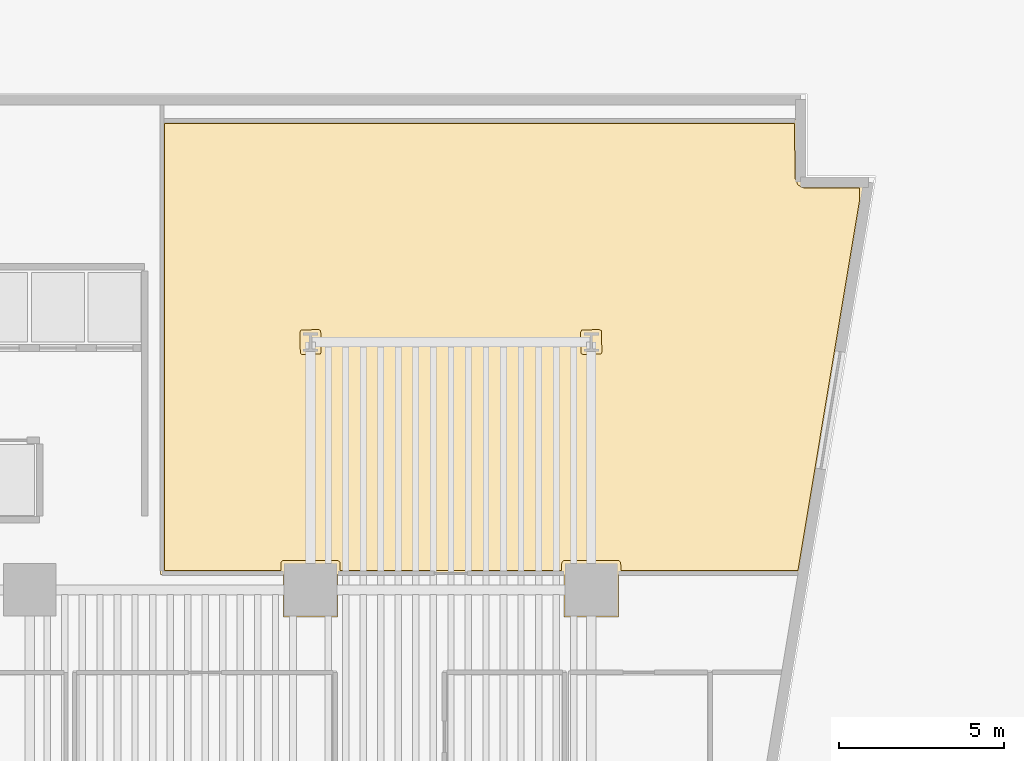
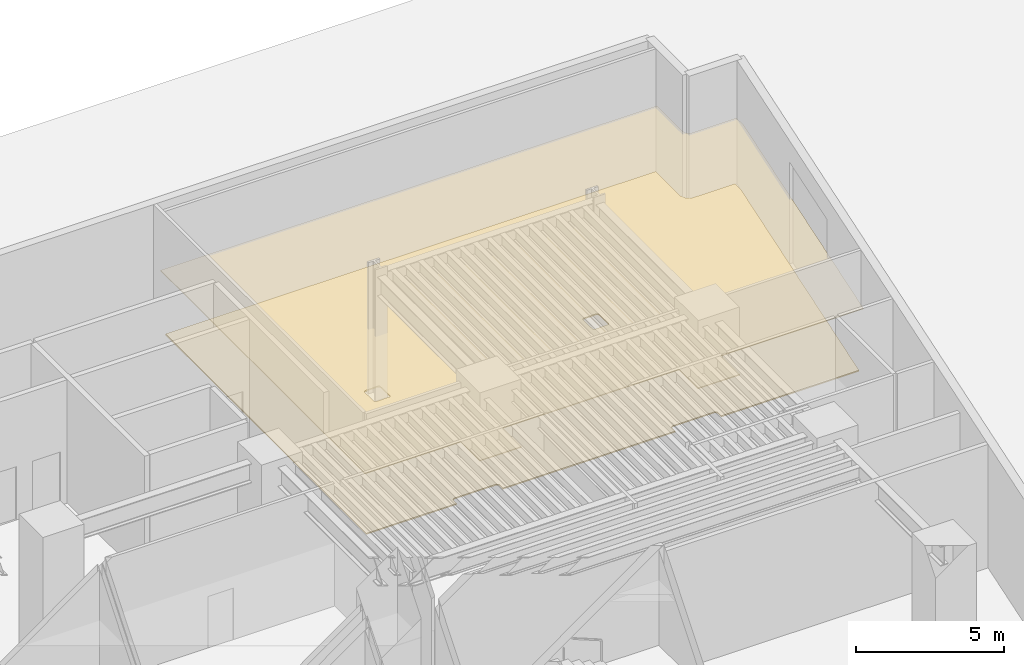
# One storey, part 17 of 18: 2 coverings.
"""IFC4 building model written with IfcOpenShell, lengths in metres."""

from ifc_helpers import new_model, si_unit, direction, frame, origin, place, context, subcontext, project, spatial, polyline, outline, extrude, material, layer, layer_set, type_object, element, save


model = new_model("IFC4")

# Units and contexts
model_context = context("Model", 3, precision=1e-05, world=origin(), true_north=direction((0.0, 1.0)))
body_context = subcontext(model_context, "Body", "Model", "MODEL_VIEW")
ifc_project = project(units=[si_unit("LENGTHUNIT", "METRE"), si_unit("AREAUNIT", "SQUARE_METRE"), si_unit("VOLUMEUNIT", "CUBIC_METRE"), si_unit("PLANEANGLEUNIT", "RADIAN"), si_unit("MASSUNIT", "GRAM", prefix="KILO")], contexts=[model_context])

# Site, building, storey
site_placement = place(None, origin())
site = spatial("IfcSite", under=ifc_project, at=site_placement, CompositionType="ELEMENT")
building_placement = place(site_placement, origin())
building = spatial("IfcBuilding", under=site, at=building_placement, Name="Caeloran Harvest Quay", CompositionType="ELEMENT")
storey_placement = place(building_placement, origin())
storey = spatial("IfcBuildingStorey", under=building, at=storey_placement, Name="L01", CompositionType="ELEMENT", Elevation=0.0)

# Coverings
ifc_material_1 = material(Name="Perforated Mineral-Fibre Acoustic Ceiling Tile", Category="ceiling")
ifc_layer_1 = layer(ifc_material_1, 0.0400390625, Name="Perforated Mineral-Fibre Acoustic Ceiling Tile")
ifc_layer_set_1 = layer_set([ifc_layer_1], Name="Perforated Mineral-Fibre Acoustic Ceiling Tile")
covering_type_1 = type_object("IfcCoveringType", Name="COV-CEILING-ACOUSTIC", PredefinedType="CEILING", material=ifc_layer_set_1)
covering_1_placement = place(storey_placement, frame((0.0, 0.0, 2.60009765625)))
element("IfcCovering", 1, at=covering_1_placement, inside=storey, type_object=covering_type_1, Name="Enclosed HGV Refrigerated Loading Dock Hall Acoustic Ceiling", PredefinedType="CEILING", context=body_context, shape_type="SweptSolid", body=[
    extrude(outline(polyline([(41.679931640625, 31.4599609375), (37.9599609375, 31.4599609375), (37.9599609375, 45.239990234375), (57.280029296875, 45.239990234375), (57.280029296875, 43.5009765625), (57.296875, 43.415771484375), (57.344482421875, 43.344482421875), (57.415771484375, 43.296875), (57.5009765625, 43.280029296875), (59.239990234375, 43.280029296875), (59.239990234375, 42.773681640625), (57.35693359375, 31.4599609375), (51.820068359375, 31.4599609375), (51.820068359375, 30.179931640625), (50.179931640625, 30.179931640625), (50.179931640625, 31.4599609375), (43.320068359375, 31.4599609375), (43.320068359375, 30.179931640625), (41.679931640625, 30.179931640625), (41.679931640625, 31.4599609375)])), origin(), (0.0, 0.0, 1.0), 0.039794921875),
])
ifc_material_2 = material(Name="Calcium-Sulphate Raised Access Floor and Terrazzo Finish", Category="flooring")
ifc_layer_2 = layer(ifc_material_2, 0.050048828125, Name="Calcium-Sulphate Raised Access Floor and Terrazzo Finish")
ifc_layer_set_2 = layer_set([ifc_layer_2], Name="Calcium-Sulphate Raised Access Floor and Terrazzo Finish")
covering_type_2 = type_object("IfcCoveringType", Name="COV-FLOOR-RAISED", PredefinedType="FLOORING", material=ifc_layer_set_2)
covering_2_placement = place(storey_placement, origin())
element("IfcCovering", 2, at=covering_2_placement, inside=storey, type_object=covering_type_2, Name="Enclosed HGV Refrigerated Loading Dock Hall Raised Finish Flooring", PredefinedType="FLOORING", context=body_context, shape_type="SweptSolid", body=[
    extrude(outline(polyline([(51.89501953125, 31.580078125), (51.8916015625, 31.838134765625), (51.81494140625, 31.89501953125), (50.16943359375, 31.8935546875), (50.1064453125, 31.83056640625), (50.10498046875, 31.580078125), (43.39501953125, 31.580078125), (43.3916015625, 31.838134765625), (43.31494140625, 31.89501953125), (41.66943359375, 31.8935546875), (41.6064453125, 31.83056640625), (41.60498046875, 31.580078125), (38.080078125, 31.580078125), (38.080078125, 45.1201171875), (57.159912109375, 45.1201171875), (57.161376953125, 43.470703125), (57.2568359375, 43.262451171875), (57.3662109375, 43.1875), (57.470703125, 43.161376953125), (59.1201171875, 43.159912109375), (59.1201171875, 42.78369140625), (57.25537109375, 31.580078125), (51.89501953125, 31.580078125)]), holes=[polyline([(50.750244140625, 38.120849609375), (51.292724609375, 38.138671875), (51.321533203125, 38.192626953125), (51.30859375, 38.843994140625), (51.241943359375, 38.87939453125), (50.713623046875, 38.865966796875), (50.677978515625, 38.799560546875), (50.69140625, 38.156005859375), (50.750244140625, 38.120849609375)]), polyline([(42.250244140625, 38.120849609375), (42.792724609375, 38.138671875), (42.821533203125, 38.192626953125), (42.80859375, 38.843994140625), (42.741943359375, 38.87939453125), (42.213623046875, 38.865966796875), (42.177978515625, 38.799560546875), (42.19140625, 38.156005859375), (42.250244140625, 38.120849609375)])]), origin(), (0.0, 0.0, 1.0), 0.050048828125),
])

save(model, "model.ifc")
